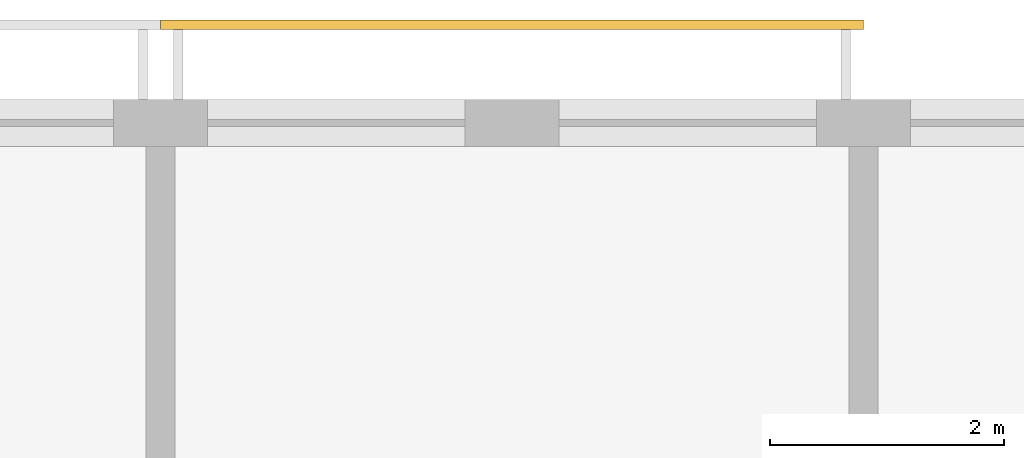
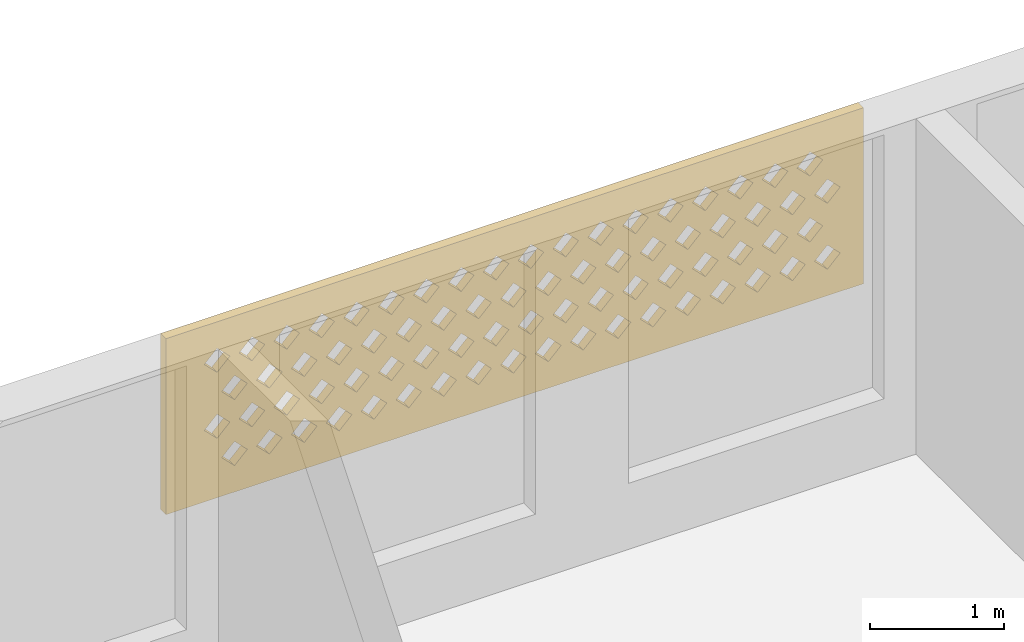
# One storey, part 15 of 18: 1 covering.
"""IFC4 building model written with IfcOpenShell, lengths in metres."""

from ifc_helpers import new_model, si_unit, direction, frame, origin, place, context, subcontext, project, spatial, polyline, outline, extrude, source, transform, mapped, material, material_profile, profile_set, type_object, element, save


model = new_model("IFC4")

# Units and contexts
model_context = context("Model", 3, precision=1e-05, world=origin(), true_north=direction((0.0, 1.0)))
body_context = subcontext(model_context, "Body", "Model", "MODEL_VIEW")
ifc_project = project(units=[si_unit("LENGTHUNIT", "METRE"), si_unit("AREAUNIT", "SQUARE_METRE"), si_unit("VOLUMEUNIT", "CUBIC_METRE"), si_unit("PLANEANGLEUNIT", "RADIAN"), si_unit("MASSUNIT", "GRAM", prefix="KILO")], contexts=[model_context])

# Site, building, storey
site_placement = place(None, origin())
site = spatial("IfcSite", under=ifc_project, at=site_placement, CompositionType="ELEMENT")
building_placement = place(site_placement, origin())
building = spatial("IfcBuilding", under=site, at=building_placement, Name="Poui Terraces", CompositionType="ELEMENT")
storey_placement = place(building_placement, frame((0.0, 0.0, 279.0)))
storey = spatial("IfcBuildingStorey", under=building, at=storey_placement, Name="L77 CROWN", CompositionType="ELEMENT", Elevation=279.0)

# Covering
ifc_material = material(Name="Terracotta screen", Category="masonry")
ifc_material_profile = material_profile(ifc_material, outline(polyline([(-3.0, -0.800048828125), (3.0, -0.800048828125), (3.0, 0.800048828125), (-3.0, 0.800048828125), (-3.0, -0.800048828125)]), holes=[polyline([(-2.800048828125, -0.449951171875), (-2.68994140625, -0.56005859375), (-2.580078125, -0.449951171875), (-2.68994140625, -0.340087890625), (-2.800048828125, -0.449951171875)]), polyline([(-2.5, -0.449951171875), (-2.389892578125, -0.56005859375), (-2.280029296875, -0.449951171875), (-2.389892578125, -0.340087890625), (-2.5, -0.449951171875)]), polyline([(-2.199951171875, -0.449951171875), (-2.090087890625, -0.56005859375), (-1.97998046875, -0.449951171875), (-2.090087890625, -0.340087890625), (-2.199951171875, -0.449951171875)]), polyline([(-1.89990234375, -0.449951171875), (-1.7900390625, -0.56005859375), (-1.679931640625, -0.449951171875), (-1.7900390625, -0.340087890625), (-1.89990234375, -0.449951171875)]), polyline([(-1.60009765625, -0.449951171875), (-1.489990234375, -0.56005859375), (-1.3798828125, -0.449951171875), (-1.489990234375, -0.340087890625), (-1.60009765625, -0.449951171875)]), polyline([(-1.300048828125, -0.449951171875), (-1.18994140625, -0.56005859375), (-1.080078125, -0.449951171875), (-1.18994140625, -0.340087890625), (-1.300048828125, -0.449951171875)]), polyline([(-1.0, -0.449951171875), (-0.889892578125, -0.56005859375), (-0.780029296875, -0.449951171875), (-0.889892578125, -0.340087890625), (-1.0, -0.449951171875)]), polyline([(-0.699951171875, -0.449951171875), (-0.590087890625, -0.56005859375), (-0.47998046875, -0.449951171875), (-0.590087890625, -0.340087890625), (-0.699951171875, -0.449951171875)]), polyline([(-0.39990234375, -0.449951171875), (-0.2900390625, -0.56005859375), (-0.179931640625, -0.449951171875), (-0.2900390625, -0.340087890625), (-0.39990234375, -0.449951171875)]), polyline([(-0.10009765625, -0.449951171875), (0.010009765625, -0.56005859375), (0.1201171875, -0.449951171875), (0.010009765625, -0.340087890625), (-0.10009765625, -0.449951171875)]), polyline([(0.199951171875, -0.449951171875), (0.31005859375, -0.56005859375), (0.419921875, -0.449951171875), (0.31005859375, -0.340087890625), (0.199951171875, -0.449951171875)]), polyline([(0.5, -0.449951171875), (0.610107421875, -0.56005859375), (0.719970703125, -0.449951171875), (0.610107421875, -0.340087890625), (0.5, -0.449951171875)]), polyline([(0.800048828125, -0.449951171875), (0.909912109375, -0.56005859375), (1.02001953125, -0.449951171875), (0.909912109375, -0.340087890625), (0.800048828125, -0.449951171875)]), polyline([(1.10009765625, -0.449951171875), (1.2099609375, -0.56005859375), (1.320068359375, -0.449951171875), (1.2099609375, -0.340087890625), (1.10009765625, -0.449951171875)]), polyline([(1.39990234375, -0.449951171875), (1.510009765625, -0.56005859375), (1.6201171875, -0.449951171875), (1.510009765625, -0.340087890625), (1.39990234375, -0.449951171875)]), polyline([(1.699951171875, -0.449951171875), (1.81005859375, -0.56005859375), (1.919921875, -0.449951171875), (1.81005859375, -0.340087890625), (1.699951171875, -0.449951171875)]), polyline([(2.0, -0.449951171875), (2.110107421875, -0.56005859375), (2.219970703125, -0.449951171875), (2.110107421875, -0.340087890625), (2.0, -0.449951171875)]), polyline([(2.300048828125, -0.449951171875), (2.409912109375, -0.56005859375), (2.52001953125, -0.449951171875), (2.409912109375, -0.340087890625), (2.300048828125, -0.449951171875)]), polyline([(-2.64990234375, -0.14990234375), (-2.5400390625, -0.260009765625), (-2.429931640625, -0.14990234375), (-2.5400390625, -0.0400390625), (-2.64990234375, -0.14990234375)]), polyline([(-2.35009765625, -0.14990234375), (-2.239990234375, -0.260009765625), (-2.1298828125, -0.14990234375), (-2.239990234375, -0.0400390625), (-2.35009765625, -0.14990234375)]), polyline([(-2.050048828125, -0.14990234375), (-1.93994140625, -0.260009765625), (-1.830078125, -0.14990234375), (-1.93994140625, -0.0400390625), (-2.050048828125, -0.14990234375)]), polyline([(-1.75, -0.14990234375), (-1.639892578125, -0.260009765625), (-1.530029296875, -0.14990234375), (-1.639892578125, -0.0400390625), (-1.75, -0.14990234375)]), polyline([(-1.449951171875, -0.14990234375), (-1.340087890625, -0.260009765625), (-1.22998046875, -0.14990234375), (-1.340087890625, -0.0400390625), (-1.449951171875, -0.14990234375)]), polyline([(-1.14990234375, -0.14990234375), (-1.0400390625, -0.260009765625), (-0.929931640625, -0.14990234375), (-1.0400390625, -0.0400390625), (-1.14990234375, -0.14990234375)]), polyline([(-0.85009765625, -0.14990234375), (-0.739990234375, -0.260009765625), (-0.6298828125, -0.14990234375), (-0.739990234375, -0.0400390625), (-0.85009765625, -0.14990234375)]), polyline([(-0.550048828125, -0.14990234375), (-0.43994140625, -0.260009765625), (-0.330078125, -0.14990234375), (-0.43994140625, -0.0400390625), (-0.550048828125, -0.14990234375)]), polyline([(-0.25, -0.14990234375), (-0.139892578125, -0.260009765625), (-0.030029296875, -0.14990234375), (-0.139892578125, -0.0400390625), (-0.25, -0.14990234375)]), polyline([(0.050048828125, -0.14990234375), (0.159912109375, -0.260009765625), (0.27001953125, -0.14990234375), (0.159912109375, -0.0400390625), (0.050048828125, -0.14990234375)]), polyline([(0.35009765625, -0.14990234375), (0.4599609375, -0.260009765625), (0.570068359375, -0.14990234375), (0.4599609375, -0.0400390625), (0.35009765625, -0.14990234375)]), polyline([(0.64990234375, -0.14990234375), (0.760009765625, -0.260009765625), (0.8701171875, -0.14990234375), (0.760009765625, -0.0400390625), (0.64990234375, -0.14990234375)]), polyline([(0.949951171875, -0.14990234375), (1.06005859375, -0.260009765625), (1.169921875, -0.14990234375), (1.06005859375, -0.0400390625), (0.949951171875, -0.14990234375)]), polyline([(1.25, -0.14990234375), (1.360107421875, -0.260009765625), (1.469970703125, -0.14990234375), (1.360107421875, -0.0400390625), (1.25, -0.14990234375)]), polyline([(1.550048828125, -0.14990234375), (1.659912109375, -0.260009765625), (1.77001953125, -0.14990234375), (1.659912109375, -0.0400390625), (1.550048828125, -0.14990234375)]), polyline([(1.85009765625, -0.14990234375), (1.9599609375, -0.260009765625), (2.070068359375, -0.14990234375), (1.9599609375, -0.0400390625), (1.85009765625, -0.14990234375)]), polyline([(2.14990234375, -0.14990234375), (2.260009765625, -0.260009765625), (2.3701171875, -0.14990234375), (2.260009765625, -0.0400390625), (2.14990234375, -0.14990234375)]), polyline([(2.449951171875, -0.14990234375), (2.56005859375, -0.260009765625), (2.669921875, -0.14990234375), (2.56005859375, -0.0400390625), (2.449951171875, -0.14990234375)]), polyline([(-2.800048828125, 0.14990234375), (-2.68994140625, 0.0400390625), (-2.580078125, 0.14990234375), (-2.68994140625, 0.260009765625), (-2.800048828125, 0.14990234375)]), polyline([(-2.5, 0.14990234375), (-2.389892578125, 0.0400390625), (-2.280029296875, 0.14990234375), (-2.389892578125, 0.260009765625), (-2.5, 0.14990234375)]), polyline([(-2.199951171875, 0.14990234375), (-2.090087890625, 0.0400390625), (-1.97998046875, 0.14990234375), (-2.090087890625, 0.260009765625), (-2.199951171875, 0.14990234375)]), polyline([(-1.89990234375, 0.14990234375), (-1.7900390625, 0.0400390625), (-1.679931640625, 0.14990234375), (-1.7900390625, 0.260009765625), (-1.89990234375, 0.14990234375)]), polyline([(-1.60009765625, 0.14990234375), (-1.489990234375, 0.0400390625), (-1.3798828125, 0.14990234375), (-1.489990234375, 0.260009765625), (-1.60009765625, 0.14990234375)]), polyline([(-1.300048828125, 0.14990234375), (-1.18994140625, 0.0400390625), (-1.080078125, 0.14990234375), (-1.18994140625, 0.260009765625), (-1.300048828125, 0.14990234375)]), polyline([(-1.0, 0.14990234375), (-0.889892578125, 0.0400390625), (-0.780029296875, 0.14990234375), (-0.889892578125, 0.260009765625), (-1.0, 0.14990234375)]), polyline([(-0.699951171875, 0.14990234375), (-0.590087890625, 0.0400390625), (-0.47998046875, 0.14990234375), (-0.590087890625, 0.260009765625), (-0.699951171875, 0.14990234375)]), polyline([(-0.39990234375, 0.14990234375), (-0.2900390625, 0.0400390625), (-0.179931640625, 0.14990234375), (-0.2900390625, 0.260009765625), (-0.39990234375, 0.14990234375)]), polyline([(-0.10009765625, 0.14990234375), (0.010009765625, 0.0400390625), (0.1201171875, 0.14990234375), (0.010009765625, 0.260009765625), (-0.10009765625, 0.14990234375)]), polyline([(0.199951171875, 0.14990234375), (0.31005859375, 0.0400390625), (0.419921875, 0.14990234375), (0.31005859375, 0.260009765625), (0.199951171875, 0.14990234375)]), polyline([(0.5, 0.14990234375), (0.610107421875, 0.0400390625), (0.719970703125, 0.14990234375), (0.610107421875, 0.260009765625), (0.5, 0.14990234375)]), polyline([(0.800048828125, 0.14990234375), (0.909912109375, 0.0400390625), (1.02001953125, 0.14990234375), (0.909912109375, 0.260009765625), (0.800048828125, 0.14990234375)]), polyline([(1.10009765625, 0.14990234375), (1.2099609375, 0.0400390625), (1.320068359375, 0.14990234375), (1.2099609375, 0.260009765625), (1.10009765625, 0.14990234375)]), polyline([(1.39990234375, 0.14990234375), (1.510009765625, 0.0400390625), (1.6201171875, 0.14990234375), (1.510009765625, 0.260009765625), (1.39990234375, 0.14990234375)]), polyline([(1.699951171875, 0.14990234375), (1.81005859375, 0.0400390625), (1.919921875, 0.14990234375), (1.81005859375, 0.260009765625), (1.699951171875, 0.14990234375)]), polyline([(2.0, 0.14990234375), (2.110107421875, 0.0400390625), (2.219970703125, 0.14990234375), (2.110107421875, 0.260009765625), (2.0, 0.14990234375)]), polyline([(2.300048828125, 0.14990234375), (2.409912109375, 0.0400390625), (2.52001953125, 0.14990234375), (2.409912109375, 0.260009765625), (2.300048828125, 0.14990234375)]), polyline([(-2.64990234375, 0.449951171875), (-2.5400390625, 0.340087890625), (-2.429931640625, 0.449951171875), (-2.5400390625, 0.56005859375), (-2.64990234375, 0.449951171875)]), polyline([(-2.35009765625, 0.449951171875), (-2.239990234375, 0.340087890625), (-2.1298828125, 0.449951171875), (-2.239990234375, 0.56005859375), (-2.35009765625, 0.449951171875)]), polyline([(-2.050048828125, 0.449951171875), (-1.93994140625, 0.340087890625), (-1.830078125, 0.449951171875), (-1.93994140625, 0.56005859375), (-2.050048828125, 0.449951171875)]), polyline([(-1.75, 0.449951171875), (-1.639892578125, 0.340087890625), (-1.530029296875, 0.449951171875), (-1.639892578125, 0.56005859375), (-1.75, 0.449951171875)]), polyline([(-1.449951171875, 0.449951171875), (-1.340087890625, 0.340087890625), (-1.22998046875, 0.449951171875), (-1.340087890625, 0.56005859375), (-1.449951171875, 0.449951171875)]), polyline([(-1.14990234375, 0.449951171875), (-1.0400390625, 0.340087890625), (-0.929931640625, 0.449951171875), (-1.0400390625, 0.56005859375), (-1.14990234375, 0.449951171875)]), polyline([(-0.85009765625, 0.449951171875), (-0.739990234375, 0.340087890625), (-0.6298828125, 0.449951171875), (-0.739990234375, 0.56005859375), (-0.85009765625, 0.449951171875)]), polyline([(-0.550048828125, 0.449951171875), (-0.43994140625, 0.340087890625), (-0.330078125, 0.449951171875), (-0.43994140625, 0.56005859375), (-0.550048828125, 0.449951171875)]), polyline([(-0.25, 0.449951171875), (-0.139892578125, 0.340087890625), (-0.030029296875, 0.449951171875), (-0.139892578125, 0.56005859375), (-0.25, 0.449951171875)]), polyline([(0.050048828125, 0.449951171875), (0.159912109375, 0.340087890625), (0.27001953125, 0.449951171875), (0.159912109375, 0.56005859375), (0.050048828125, 0.449951171875)]), polyline([(0.35009765625, 0.449951171875), (0.4599609375, 0.340087890625), (0.570068359375, 0.449951171875), (0.4599609375, 0.56005859375), (0.35009765625, 0.449951171875)]), polyline([(0.64990234375, 0.449951171875), (0.760009765625, 0.340087890625), (0.8701171875, 0.449951171875), (0.760009765625, 0.56005859375), (0.64990234375, 0.449951171875)]), polyline([(0.949951171875, 0.449951171875), (1.06005859375, 0.340087890625), (1.169921875, 0.449951171875), (1.06005859375, 0.56005859375), (0.949951171875, 0.449951171875)]), polyline([(1.25, 0.449951171875), (1.360107421875, 0.340087890625), (1.469970703125, 0.449951171875), (1.360107421875, 0.56005859375), (1.25, 0.449951171875)]), polyline([(1.550048828125, 0.449951171875), (1.659912109375, 0.340087890625), (1.77001953125, 0.449951171875), (1.659912109375, 0.56005859375), (1.550048828125, 0.449951171875)]), polyline([(1.85009765625, 0.449951171875), (1.9599609375, 0.340087890625), (2.070068359375, 0.449951171875), (1.9599609375, 0.56005859375), (1.85009765625, 0.449951171875)]), polyline([(2.14990234375, 0.449951171875), (2.260009765625, 0.340087890625), (2.3701171875, 0.449951171875), (2.260009765625, 0.56005859375), (2.14990234375, 0.449951171875)]), polyline([(2.449951171875, 0.449951171875), (2.56005859375, 0.340087890625), (2.669921875, 0.449951171875), (2.56005859375, 0.56005859375), (2.449951171875, 0.449951171875)])]), Name="TERRACOTTA SOLAR SCREEN 6000X1600")
ifc_profile_set = profile_set([ifc_material_profile], Name="Terracotta screen")
covering_type = type_object("IfcCoveringType", Name="TERRACOTTA SOLAR SCREEN 6000X1600", PredefinedType="CLADDING", material=ifc_profile_set)
shared_shape = source(origin(), body_context, "Body", "SweptSolid", [
    extrude(outline(polyline([(-3.0, -0.800048828125), (3.0, -0.800048828125), (3.0, 0.800048828125), (-3.0, 0.800048828125), (-3.0, -0.800048828125)]), holes=[polyline([(-2.800048828125, -0.449951171875), (-2.68994140625, -0.56005859375), (-2.580078125, -0.449951171875), (-2.68994140625, -0.340087890625), (-2.800048828125, -0.449951171875)]), polyline([(-2.5, -0.449951171875), (-2.389892578125, -0.56005859375), (-2.280029296875, -0.449951171875), (-2.389892578125, -0.340087890625), (-2.5, -0.449951171875)]), polyline([(-2.199951171875, -0.449951171875), (-2.090087890625, -0.56005859375), (-1.97998046875, -0.449951171875), (-2.090087890625, -0.340087890625), (-2.199951171875, -0.449951171875)]), polyline([(-1.89990234375, -0.449951171875), (-1.7900390625, -0.56005859375), (-1.679931640625, -0.449951171875), (-1.7900390625, -0.340087890625), (-1.89990234375, -0.449951171875)]), polyline([(-1.60009765625, -0.449951171875), (-1.489990234375, -0.56005859375), (-1.3798828125, -0.449951171875), (-1.489990234375, -0.340087890625), (-1.60009765625, -0.449951171875)]), polyline([(-1.300048828125, -0.449951171875), (-1.18994140625, -0.56005859375), (-1.080078125, -0.449951171875), (-1.18994140625, -0.340087890625), (-1.300048828125, -0.449951171875)]), polyline([(-1.0, -0.449951171875), (-0.889892578125, -0.56005859375), (-0.780029296875, -0.449951171875), (-0.889892578125, -0.340087890625), (-1.0, -0.449951171875)]), polyline([(-0.699951171875, -0.449951171875), (-0.590087890625, -0.56005859375), (-0.47998046875, -0.449951171875), (-0.590087890625, -0.340087890625), (-0.699951171875, -0.449951171875)]), polyline([(-0.39990234375, -0.449951171875), (-0.2900390625, -0.56005859375), (-0.179931640625, -0.449951171875), (-0.2900390625, -0.340087890625), (-0.39990234375, -0.449951171875)]), polyline([(-0.10009765625, -0.449951171875), (0.010009765625, -0.56005859375), (0.1201171875, -0.449951171875), (0.010009765625, -0.340087890625), (-0.10009765625, -0.449951171875)]), polyline([(0.199951171875, -0.449951171875), (0.31005859375, -0.56005859375), (0.419921875, -0.449951171875), (0.31005859375, -0.340087890625), (0.199951171875, -0.449951171875)]), polyline([(0.5, -0.449951171875), (0.610107421875, -0.56005859375), (0.719970703125, -0.449951171875), (0.610107421875, -0.340087890625), (0.5, -0.449951171875)]), polyline([(0.800048828125, -0.449951171875), (0.909912109375, -0.56005859375), (1.02001953125, -0.449951171875), (0.909912109375, -0.340087890625), (0.800048828125, -0.449951171875)]), polyline([(1.10009765625, -0.449951171875), (1.2099609375, -0.56005859375), (1.320068359375, -0.449951171875), (1.2099609375, -0.340087890625), (1.10009765625, -0.449951171875)]), polyline([(1.39990234375, -0.449951171875), (1.510009765625, -0.56005859375), (1.6201171875, -0.449951171875), (1.510009765625, -0.340087890625), (1.39990234375, -0.449951171875)]), polyline([(1.699951171875, -0.449951171875), (1.81005859375, -0.56005859375), (1.919921875, -0.449951171875), (1.81005859375, -0.340087890625), (1.699951171875, -0.449951171875)]), polyline([(2.0, -0.449951171875), (2.110107421875, -0.56005859375), (2.219970703125, -0.449951171875), (2.110107421875, -0.340087890625), (2.0, -0.449951171875)]), polyline([(2.300048828125, -0.449951171875), (2.409912109375, -0.56005859375), (2.52001953125, -0.449951171875), (2.409912109375, -0.340087890625), (2.300048828125, -0.449951171875)]), polyline([(-2.64990234375, -0.14990234375), (-2.5400390625, -0.260009765625), (-2.429931640625, -0.14990234375), (-2.5400390625, -0.0400390625), (-2.64990234375, -0.14990234375)]), polyline([(-2.35009765625, -0.14990234375), (-2.239990234375, -0.260009765625), (-2.1298828125, -0.14990234375), (-2.239990234375, -0.0400390625), (-2.35009765625, -0.14990234375)]), polyline([(-2.050048828125, -0.14990234375), (-1.93994140625, -0.260009765625), (-1.830078125, -0.14990234375), (-1.93994140625, -0.0400390625), (-2.050048828125, -0.14990234375)]), polyline([(-1.75, -0.14990234375), (-1.639892578125, -0.260009765625), (-1.530029296875, -0.14990234375), (-1.639892578125, -0.0400390625), (-1.75, -0.14990234375)]), polyline([(-1.449951171875, -0.14990234375), (-1.340087890625, -0.260009765625), (-1.22998046875, -0.14990234375), (-1.340087890625, -0.0400390625), (-1.449951171875, -0.14990234375)]), polyline([(-1.14990234375, -0.14990234375), (-1.0400390625, -0.260009765625), (-0.929931640625, -0.14990234375), (-1.0400390625, -0.0400390625), (-1.14990234375, -0.14990234375)]), polyline([(-0.85009765625, -0.14990234375), (-0.739990234375, -0.260009765625), (-0.6298828125, -0.14990234375), (-0.739990234375, -0.0400390625), (-0.85009765625, -0.14990234375)]), polyline([(-0.550048828125, -0.14990234375), (-0.43994140625, -0.260009765625), (-0.330078125, -0.14990234375), (-0.43994140625, -0.0400390625), (-0.550048828125, -0.14990234375)]), polyline([(-0.25, -0.14990234375), (-0.139892578125, -0.260009765625), (-0.030029296875, -0.14990234375), (-0.139892578125, -0.0400390625), (-0.25, -0.14990234375)]), polyline([(0.050048828125, -0.14990234375), (0.159912109375, -0.260009765625), (0.27001953125, -0.14990234375), (0.159912109375, -0.0400390625), (0.050048828125, -0.14990234375)]), polyline([(0.35009765625, -0.14990234375), (0.4599609375, -0.260009765625), (0.570068359375, -0.14990234375), (0.4599609375, -0.0400390625), (0.35009765625, -0.14990234375)]), polyline([(0.64990234375, -0.14990234375), (0.760009765625, -0.260009765625), (0.8701171875, -0.14990234375), (0.760009765625, -0.0400390625), (0.64990234375, -0.14990234375)]), polyline([(0.949951171875, -0.14990234375), (1.06005859375, -0.260009765625), (1.169921875, -0.14990234375), (1.06005859375, -0.0400390625), (0.949951171875, -0.14990234375)]), polyline([(1.25, -0.14990234375), (1.360107421875, -0.260009765625), (1.469970703125, -0.14990234375), (1.360107421875, -0.0400390625), (1.25, -0.14990234375)]), polyline([(1.550048828125, -0.14990234375), (1.659912109375, -0.260009765625), (1.77001953125, -0.14990234375), (1.659912109375, -0.0400390625), (1.550048828125, -0.14990234375)]), polyline([(1.85009765625, -0.14990234375), (1.9599609375, -0.260009765625), (2.070068359375, -0.14990234375), (1.9599609375, -0.0400390625), (1.85009765625, -0.14990234375)]), polyline([(2.14990234375, -0.14990234375), (2.260009765625, -0.260009765625), (2.3701171875, -0.14990234375), (2.260009765625, -0.0400390625), (2.14990234375, -0.14990234375)]), polyline([(2.449951171875, -0.14990234375), (2.56005859375, -0.260009765625), (2.669921875, -0.14990234375), (2.56005859375, -0.0400390625), (2.449951171875, -0.14990234375)]), polyline([(-2.800048828125, 0.14990234375), (-2.68994140625, 0.0400390625), (-2.580078125, 0.14990234375), (-2.68994140625, 0.260009765625), (-2.800048828125, 0.14990234375)]), polyline([(-2.5, 0.14990234375), (-2.389892578125, 0.0400390625), (-2.280029296875, 0.14990234375), (-2.389892578125, 0.260009765625), (-2.5, 0.14990234375)]), polyline([(-2.199951171875, 0.14990234375), (-2.090087890625, 0.0400390625), (-1.97998046875, 0.14990234375), (-2.090087890625, 0.260009765625), (-2.199951171875, 0.14990234375)]), polyline([(-1.89990234375, 0.14990234375), (-1.7900390625, 0.0400390625), (-1.679931640625, 0.14990234375), (-1.7900390625, 0.260009765625), (-1.89990234375, 0.14990234375)]), polyline([(-1.60009765625, 0.14990234375), (-1.489990234375, 0.0400390625), (-1.3798828125, 0.14990234375), (-1.489990234375, 0.260009765625), (-1.60009765625, 0.14990234375)]), polyline([(-1.300048828125, 0.14990234375), (-1.18994140625, 0.0400390625), (-1.080078125, 0.14990234375), (-1.18994140625, 0.260009765625), (-1.300048828125, 0.14990234375)]), polyline([(-1.0, 0.14990234375), (-0.889892578125, 0.0400390625), (-0.780029296875, 0.14990234375), (-0.889892578125, 0.260009765625), (-1.0, 0.14990234375)]), polyline([(-0.699951171875, 0.14990234375), (-0.590087890625, 0.0400390625), (-0.47998046875, 0.14990234375), (-0.590087890625, 0.260009765625), (-0.699951171875, 0.14990234375)]), polyline([(-0.39990234375, 0.14990234375), (-0.2900390625, 0.0400390625), (-0.179931640625, 0.14990234375), (-0.2900390625, 0.260009765625), (-0.39990234375, 0.14990234375)]), polyline([(-0.10009765625, 0.14990234375), (0.010009765625, 0.0400390625), (0.1201171875, 0.14990234375), (0.010009765625, 0.260009765625), (-0.10009765625, 0.14990234375)]), polyline([(0.199951171875, 0.14990234375), (0.31005859375, 0.0400390625), (0.419921875, 0.14990234375), (0.31005859375, 0.260009765625), (0.199951171875, 0.14990234375)]), polyline([(0.5, 0.14990234375), (0.610107421875, 0.0400390625), (0.719970703125, 0.14990234375), (0.610107421875, 0.260009765625), (0.5, 0.14990234375)]), polyline([(0.800048828125, 0.14990234375), (0.909912109375, 0.0400390625), (1.02001953125, 0.14990234375), (0.909912109375, 0.260009765625), (0.800048828125, 0.14990234375)]), polyline([(1.10009765625, 0.14990234375), (1.2099609375, 0.0400390625), (1.320068359375, 0.14990234375), (1.2099609375, 0.260009765625), (1.10009765625, 0.14990234375)]), polyline([(1.39990234375, 0.14990234375), (1.510009765625, 0.0400390625), (1.6201171875, 0.14990234375), (1.510009765625, 0.260009765625), (1.39990234375, 0.14990234375)]), polyline([(1.699951171875, 0.14990234375), (1.81005859375, 0.0400390625), (1.919921875, 0.14990234375), (1.81005859375, 0.260009765625), (1.699951171875, 0.14990234375)]), polyline([(2.0, 0.14990234375), (2.110107421875, 0.0400390625), (2.219970703125, 0.14990234375), (2.110107421875, 0.260009765625), (2.0, 0.14990234375)]), polyline([(2.300048828125, 0.14990234375), (2.409912109375, 0.0400390625), (2.52001953125, 0.14990234375), (2.409912109375, 0.260009765625), (2.300048828125, 0.14990234375)]), polyline([(-2.64990234375, 0.449951171875), (-2.5400390625, 0.340087890625), (-2.429931640625, 0.449951171875), (-2.5400390625, 0.56005859375), (-2.64990234375, 0.449951171875)]), polyline([(-2.35009765625, 0.449951171875), (-2.239990234375, 0.340087890625), (-2.1298828125, 0.449951171875), (-2.239990234375, 0.56005859375), (-2.35009765625, 0.449951171875)]), polyline([(-2.050048828125, 0.449951171875), (-1.93994140625, 0.340087890625), (-1.830078125, 0.449951171875), (-1.93994140625, 0.56005859375), (-2.050048828125, 0.449951171875)]), polyline([(-1.75, 0.449951171875), (-1.639892578125, 0.340087890625), (-1.530029296875, 0.449951171875), (-1.639892578125, 0.56005859375), (-1.75, 0.449951171875)]), polyline([(-1.449951171875, 0.449951171875), (-1.340087890625, 0.340087890625), (-1.22998046875, 0.449951171875), (-1.340087890625, 0.56005859375), (-1.449951171875, 0.449951171875)]), polyline([(-1.14990234375, 0.449951171875), (-1.0400390625, 0.340087890625), (-0.929931640625, 0.449951171875), (-1.0400390625, 0.56005859375), (-1.14990234375, 0.449951171875)]), polyline([(-0.85009765625, 0.449951171875), (-0.739990234375, 0.340087890625), (-0.6298828125, 0.449951171875), (-0.739990234375, 0.56005859375), (-0.85009765625, 0.449951171875)]), polyline([(-0.550048828125, 0.449951171875), (-0.43994140625, 0.340087890625), (-0.330078125, 0.449951171875), (-0.43994140625, 0.56005859375), (-0.550048828125, 0.449951171875)]), polyline([(-0.25, 0.449951171875), (-0.139892578125, 0.340087890625), (-0.030029296875, 0.449951171875), (-0.139892578125, 0.56005859375), (-0.25, 0.449951171875)]), polyline([(0.050048828125, 0.449951171875), (0.159912109375, 0.340087890625), (0.27001953125, 0.449951171875), (0.159912109375, 0.56005859375), (0.050048828125, 0.449951171875)]), polyline([(0.35009765625, 0.449951171875), (0.4599609375, 0.340087890625), (0.570068359375, 0.449951171875), (0.4599609375, 0.56005859375), (0.35009765625, 0.449951171875)]), polyline([(0.64990234375, 0.449951171875), (0.760009765625, 0.340087890625), (0.8701171875, 0.449951171875), (0.760009765625, 0.56005859375), (0.64990234375, 0.449951171875)]), polyline([(0.949951171875, 0.449951171875), (1.06005859375, 0.340087890625), (1.169921875, 0.449951171875), (1.06005859375, 0.56005859375), (0.949951171875, 0.449951171875)]), polyline([(1.25, 0.449951171875), (1.360107421875, 0.340087890625), (1.469970703125, 0.449951171875), (1.360107421875, 0.56005859375), (1.25, 0.449951171875)]), polyline([(1.550048828125, 0.449951171875), (1.659912109375, 0.340087890625), (1.77001953125, 0.449951171875), (1.659912109375, 0.56005859375), (1.550048828125, 0.449951171875)]), polyline([(1.85009765625, 0.449951171875), (1.9599609375, 0.340087890625), (2.070068359375, 0.449951171875), (1.9599609375, 0.56005859375), (1.85009765625, 0.449951171875)]), polyline([(2.14990234375, 0.449951171875), (2.260009765625, 0.340087890625), (2.3701171875, 0.449951171875), (2.260009765625, 0.56005859375), (2.14990234375, 0.449951171875)]), polyline([(2.449951171875, 0.449951171875), (2.56005859375, 0.340087890625), (2.669921875, 0.449951171875), (2.56005859375, 0.56005859375), (2.449951171875, 0.449951171875)])]), origin(), (0.0, 0.0, 1.0), 0.080078125),
])
covering_placement = place(storey_placement, frame((39.0, 42.0, 1.699951171875), z_axis=(0.0, 1.0, 0.0), x_axis=(-1.0, 0.0, 0.0)))
element("IfcCovering", 1, at=covering_placement, inside=storey, type_object=covering_type, Name="SOLAR SCREEN", PredefinedType="CLADDING", context=body_context, shape_type="MappedRepresentation", body=[
    mapped(shared_shape, transform((0.0, 0.0, 0.0))),
])

save(model, "model.ifc")
